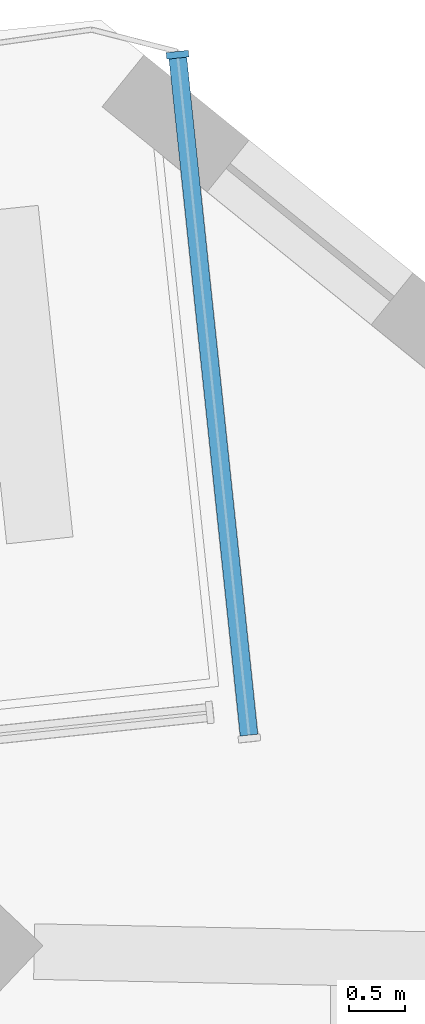
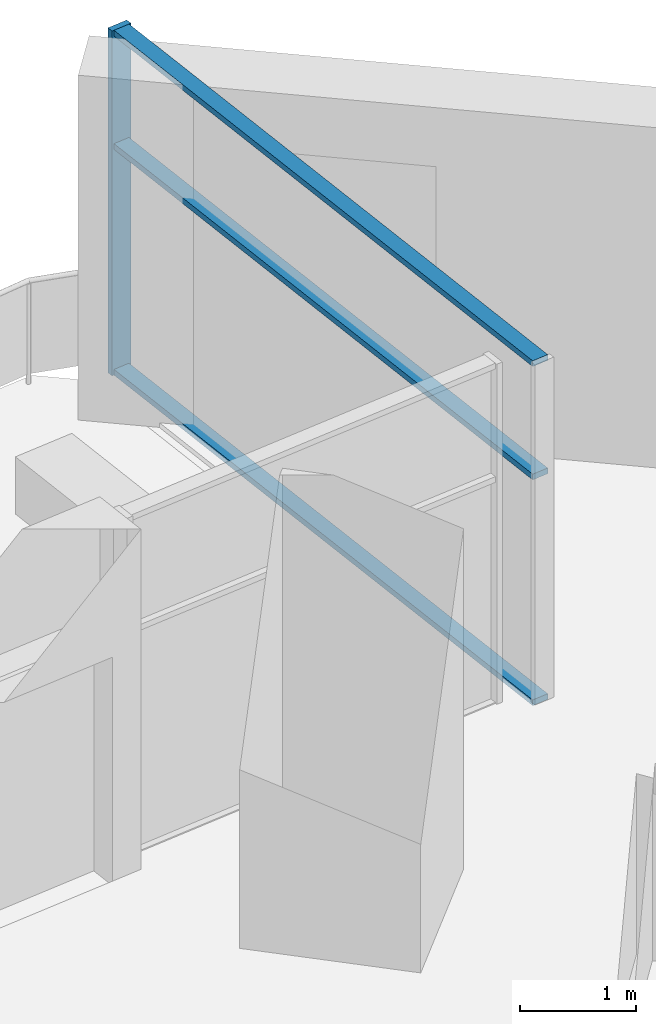
# One storey, part 5 of 14: 4 members, 1 element without a shape of its own.
"""IFC4 building model written with IfcOpenShell, lengths in metres."""

import ifcopenshell
import ifcopenshell.guid

model = None  # the IFC model being written
_history = None  # IfcOwnerHistory: only IFC2X3 demands one
_inside = {}  # id of a spatial element -> (the spatial element, [elements in it])
_under = {}  # id of a project, library or spatial element -> (it, [spatial elements below it])
_declared = {}  # id of a project -> (the project, [libraries it declares])
_typed = {}  # id of a type object -> (the type object, [elements of that type])
_made_of = {}  # id of a material, layer set ... -> (it, [elements and type objects made of it])


def new_model(schema):
    """Start an empty IFC model of exactly this schema.

    Asked for "IFC4X3", IfcOpenShell would pick the latest addendum, in which some entities
    have other attributes; the version numbers below select the first issue.
    IFC2X3 requires an IfcOwnerHistory on every rooted entity: one is made here for all.
    """
    global model, _history
    if schema == "IFC4X3":
        model = ifcopenshell.file(schema_version=(4, 3, 0, 0))
    else:
        model = ifcopenshell.file(schema=schema)
    _inside.clear()
    _under.clear()
    _declared.clear()
    _typed.clear()
    _made_of.clear()
    _history = None
    if model.schema == "IFC2X3":
        org = make("IfcOrganization", Name="unknown")
        user = make(
            "IfcPersonAndOrganization",
            ThePerson=make("IfcPerson", FamilyName="unknown"),
            TheOrganization=org,
        )
        app = make(
            "IfcApplication",
            ApplicationDeveloper=org,
            Version="unknown",
            ApplicationFullName="unknown",
            ApplicationIdentifier="unknown",
        )
        _history = make(
            "IfcOwnerHistory",
            OwningUser=user,
            OwningApplication=app,
            ChangeAction="ADDED",
            CreationDate=0,
        )
    return model


def make(cls, **values):
    """One entity of the class cls with the attributes given. An attribute that is None is left unset."""
    return model.create_entity(
        cls, **{name: value for name, value in values.items() if value is not None}
    )


def rooted(cls, **values):
    """An entity with a GlobalId (a new one), such as an element, a storey or a relation."""
    return make(cls, GlobalId=ifcopenshell.guid.new(), OwnerHistory=_history, **values)


def si_unit(unit_type, name, prefix=None):
    """IfcSIUnit, for example si_unit("LENGTHUNIT", "METRE", prefix="MILLI")."""
    return make("IfcSIUnit", UnitType=unit_type, Prefix=prefix, Name=name)


def assignment(units):
    """IfcUnitAssignment: the units of a project."""
    return None if units is None else make("IfcUnitAssignment", Units=units)


def point(xyz):
    """IfcCartesianPoint."""
    return None if xyz is None else make("IfcCartesianPoint", Coordinates=xyz)


def direction(xyz):
    """IfcDirection."""
    return None if xyz is None else make("IfcDirection", DirectionRatios=xyz)


def frame(location, z_axis=None, x_axis=None):
    """IfcAxis2Placement3D, a coordinate frame: its origin and axes. An axis left out is left unset."""
    return make(
        "IfcAxis2Placement3D",
        Location=point(location),
        Axis=direction(z_axis),
        RefDirection=direction(x_axis),
    )


def frame_2d(location, x_axis=None):
    """IfcAxis2Placement2D, a coordinate frame in the plane: its origin and x axis."""
    return make(
        "IfcAxis2Placement2D", Location=point(location), RefDirection=direction(x_axis)
    )


def origin():
    """The frame at (0, 0, 0) with its axes left unset."""
    return frame((0.0, 0.0, 0.0))


def origin_2d():
    """The frame at (0, 0) in the plane with its x axis left unset."""
    return frame_2d((0.0, 0.0))


def place(relative_to, where):
    """IfcLocalPlacement: puts the frame where relative to a parent placement (None: the world)."""
    return make(
        "IfcLocalPlacement", PlacementRelTo=relative_to, RelativePlacement=where
    )


def context(
    kind, dimensions, precision=None, world=None, true_north=None, identifier=None
):
    """IfcGeometricRepresentationContext, for example the 3D "Model" context."""
    return make(
        "IfcGeometricRepresentationContext",
        ContextIdentifier=identifier,
        ContextType=kind,
        CoordinateSpaceDimension=dimensions,
        Precision=precision,
        WorldCoordinateSystem=world,
        TrueNorth=true_north,
    )


def subcontext(parent, identifier, kind, view, scale=None):
    """IfcGeometricRepresentationSubContext, for example "Body" below "Model"."""
    return make(
        "IfcGeometricRepresentationSubContext",
        ContextIdentifier=identifier,
        ContextType=kind,
        ParentContext=parent,
        TargetScale=scale,
        TargetView=view,
    )


def project(units=None, contexts=None):
    """IfcProject with its units and contexts."""
    return rooted(
        "IfcProject",
        Name="project",
        RepresentationContexts=contexts,
        UnitsInContext=assignment(units),
    )


def spatial(cls, under=None, at=None, **own):
    """A site, building, storey or space (cls), placed at a placement, below another one or the project."""
    s = rooted(cls, ObjectPlacement=at, **own)
    if under is not None:
        _under.setdefault(under.id(), (under, []))[1].append(s)
    return s


def profile(cls, at=None, kind="AREA", **sizes):
    """A parametric profile (cls). Its sizes go by their IFC names, for example OverallWidth=200.0."""
    return make(cls, ProfileType=kind, Position=at, **sizes)


def rectangle(**sizes):
    """IfcRectangleProfileDef."""
    return profile("IfcRectangleProfileDef", **sizes)


def extrude(swept, where, along, depth):
    """IfcExtrudedAreaSolid: the profile swept, set in the frame where, extruded along a direction by depth."""
    return make(
        "IfcExtrudedAreaSolid",
        SweptArea=swept,
        Position=where,
        ExtrudedDirection=direction(along),
        Depth=depth,
    )


def shape(context_of_items, identifier, shape_type, items):
    """IfcShapeRepresentation: the items that make up one representation, for example the "Body"."""
    return make(
        "IfcShapeRepresentation",
        ContextOfItems=context_of_items,
        RepresentationIdentifier=identifier,
        RepresentationType=shape_type,
        Items=items,
    )


def material(Name=None, Category=None):
    """IfcMaterial."""
    return make("IfcMaterial", Name=Name, Category=Category)


def material_profile(
    of_material, cross_section, Name=None, Category=None, Priority=None
):
    """IfcMaterialProfile: a cross section and its material."""
    return make(
        "IfcMaterialProfile",
        Name=Name,
        Material=of_material,
        Profile=cross_section,
        Priority=Priority,
        Category=Category,
    )


def profile_set(profiles, Name=None, composite=None):
    """IfcMaterialProfileSet."""
    return make(
        "IfcMaterialProfileSet",
        Name=Name,
        MaterialProfiles=profiles,
        CompositeProfile=composite,
    )


def made_of(thing, what):
    """Note that an element or type object is made of a material, layer set ...; save() writes the relation."""
    if what is not None:
        _made_of.setdefault(what.id(), (what, []))[1].append(thing)
    return thing


def type_object(cls, material=None, **own):
    """A type object (cls), such as IfcWallType, which elements share."""
    return made_of(rooted(cls, **own), material)


def element(
    cls,
    number,
    at=None,
    inside=None,
    cuts=None,
    type_object=None,
    material=None,
    context=None,
    identifier="Body",
    shape_type=None,
    held_by="IfcProductDefinitionShape",
    body=None,
    shapes=None,
    **own,
):
    """One element of the class cls, such as IfcWall. Its Tag is "e" and its number.

    at: its placement. inside: the storey or other place that contains it. cuts: it is an
    opening in that element (IfcRelVoidsElement). A single representation is given by context,
    identifier, shape_type and body (its items); several are given by shapes. held_by: the class
    of the entity that holds the representations. save() writes the other relations.
    """
    e = rooted(cls, Tag="e%d" % number, ObjectPlacement=at, **own)
    if body is not None:
        shapes = [shape(context, identifier, shape_type, body)]
    if shapes is not None:
        e.Representation = make(held_by, Representations=shapes)
    if inside is not None:
        _inside.setdefault(inside.id(), (inside, []))[1].append(e)
    if cuts is not None:
        rooted(
            "IfcRelVoidsElement", RelatingBuildingElement=cuts, RelatedOpeningElement=e
        )
    if type_object is not None:
        _typed.setdefault(type_object.id(), (type_object, []))[1].append(e)
    return made_of(e, material)


def aggregate(whole, parts):
    """IfcRelAggregates: a whole, such as a stair, and the parts it consists of."""
    return rooted("IfcRelAggregates", RelatingObject=whole, RelatedObjects=parts)


def save(model, path):
    """Write the relations noted so far, then the file.

    IfcRelAggregates (storeys below a building ...), IfcRelContainedInSpatialStructure (elements
    in a storey), IfcRelDefinesByType, IfcRelAssociatesMaterial and IfcRelDeclares: one each for
    every whole, place, type object, material and project.
    """
    for whole, parts in _under.values():
        aggregate(whole, parts)
    for where, things in _inside.values():
        rooted(
            "IfcRelContainedInSpatialStructure",
            RelatedElements=things,
            RelatingStructure=where,
        )
    for kind, things in _typed.values():
        rooted("IfcRelDefinesByType", RelatedObjects=things, RelatingType=kind)
    for what, things in _made_of.values():
        rooted("IfcRelAssociatesMaterial", RelatedObjects=things, RelatingMaterial=what)
    for by, libraries in _declared.values():
        rooted("IfcRelDeclares", RelatingContext=by, RelatedDefinitions=libraries)
    model.write(path)


model = new_model("IFC4")

# Units and contexts
model_context = context("Model", 3, precision=1e-05, world=origin(), true_north=direction((0.0, 1.0)))
body_context = subcontext(model_context, "Body", "Model", "MODEL_VIEW")
ifc_project = project(units=[si_unit("LENGTHUNIT", "METRE"), si_unit("AREAUNIT", "SQUARE_METRE"), si_unit("VOLUMEUNIT", "CUBIC_METRE"), si_unit("PLANEANGLEUNIT", "RADIAN"), si_unit("MASSUNIT", "GRAM", prefix="KILO")], contexts=[model_context])

# Site, building, storey
site_placement = place(None, origin())
site = spatial("IfcSite", under=ifc_project, at=site_placement, CompositionType="ELEMENT")
building_placement = place(site_placement, origin())
building = spatial("IfcBuilding", under=site, at=building_placement, Name="Dilmun Exchange Tower", CompositionType="ELEMENT")
storey_placement = place(building_placement, frame((0.0, 0.0, 233.300048828125)))
storey = spatial("IfcBuildingStorey", under=building, at=storey_placement, Name="L55", CompositionType="ELEMENT", Elevation=233.300048828125)

# Curtain wall, members
ifc_material_1 = material(Name="Anodised aluminium and clear glass", Category="aluminium")
curtain_wall_type = type_object("IfcCurtainWallType", Name="Garden corner glazing", PredefinedType="NOTDEFINED", material=ifc_material_1)
curtain_wall_placement = place(storey_placement, origin())
curtain_wall = element("IfcCurtainWall", 1, at=curtain_wall_placement, inside=storey, type_object=curtain_wall_type, Name="Garden corner glazing run GC1.1", PredefinedType="NOTDEFINED")
ifc_material_2 = material(Name="Anodised aluminium", Category="aluminium")
ifc_material_profile_1 = material_profile(ifc_material_2, rectangle(XDim=0.199951171875, YDim=0.06005859375, at=origin_2d()), Name="AL 60x200")
ifc_profile_set_1 = profile_set([ifc_material_profile_1], Name="Anodised aluminium")
member_type_1 = type_object("IfcMemberType", Name="Garden corner glazing mullion 60 x 200", PredefinedType="MULLION", material=ifc_profile_set_1)
member_1_placement = place(storey_placement, frame((4.02685546875, 35.587646484375, 0.0), z_axis=(0.0, 0.0, 1.0), x_axis=(0.994520705874, 0.104539779931, 0.0)))
member_1 = element("IfcMember", 2, at=member_1_placement, type_object=member_type_1, Name="GC1.1 mullion 1", PredefinedType="MULLION", context=body_context, shape_type="SweptSolid", body=[
    extrude(rectangle(XDim=0.199951171875, YDim=0.06005859375, at=origin_2d()), origin(), (0.0, 0.0, 1.0), 3.619873046875),
])
ifc_material_profile_2 = material_profile(ifc_material_2, rectangle(XDim=0.159912109375, YDim=0.06005859375, at=origin_2d()), Name="AL 60x160")
ifc_profile_set_2 = profile_set([ifc_material_profile_2], Name="Anodised aluminium")
member_type_2 = type_object("IfcMemberType", Name="Garden corner glazing transom 60 x 160", PredefinedType="USERDEFINED", material=ifc_profile_set_2)
member_2_placement = place(storey_placement, frame((4.02978515625, 35.557861328125, 0.030029296875), z_axis=(0.104568615863, -0.994517674341, 0.0), x_axis=(0.994517674341, 0.104568615863, 0.0)))
member_2 = element("IfcMember", 3, at=member_2_placement, type_object=member_type_2, Name="GC1.1 transom 1.1", ObjectType="TRANSOM", PredefinedType="USERDEFINED", context=body_context, shape_type="SweptSolid", body=[
    extrude(rectangle(XDim=0.159912109375, YDim=0.06005859375, at=origin_2d()), origin(), (0.0, 0.0, 1.0), 6.12646484375),
])
member_3_placement = place(storey_placement, frame((4.02978515625, 35.557861328125, 2.39990234375), z_axis=(0.104568615863, -0.994517674341, 0.0), x_axis=(0.994517674341, 0.104568615863, 0.0)))
member_3 = element("IfcMember", 4, at=member_3_placement, type_object=member_type_2, Name="GC1.1 transom 1.2", ObjectType="TRANSOM", PredefinedType="USERDEFINED", context=body_context, shape_type="SweptSolid", body=[
    extrude(rectangle(XDim=0.159912109375, YDim=0.06005859375, at=origin_2d()), origin(), (0.0, 0.0, 1.0), 6.12646484375),
])
member_4_placement = place(storey_placement, frame((4.02978515625, 35.557861328125, 3.58984375), z_axis=(0.104568615863, -0.994517674341, 0.0), x_axis=(0.994517674341, 0.104568615863, 0.0)))
member_4 = element("IfcMember", 5, at=member_4_placement, type_object=member_type_2, Name="GC1.1 transom 1.3", ObjectType="TRANSOM", PredefinedType="USERDEFINED", context=body_context, shape_type="SweptSolid", body=[
    extrude(rectangle(XDim=0.159912109375, YDim=0.06005859375, at=origin_2d()), origin(), (0.0, 0.0, 1.0), 6.12646484375),
])
aggregate(curtain_wall, [member_1, member_2, member_3, member_4])

save(model, "model.ifc")
